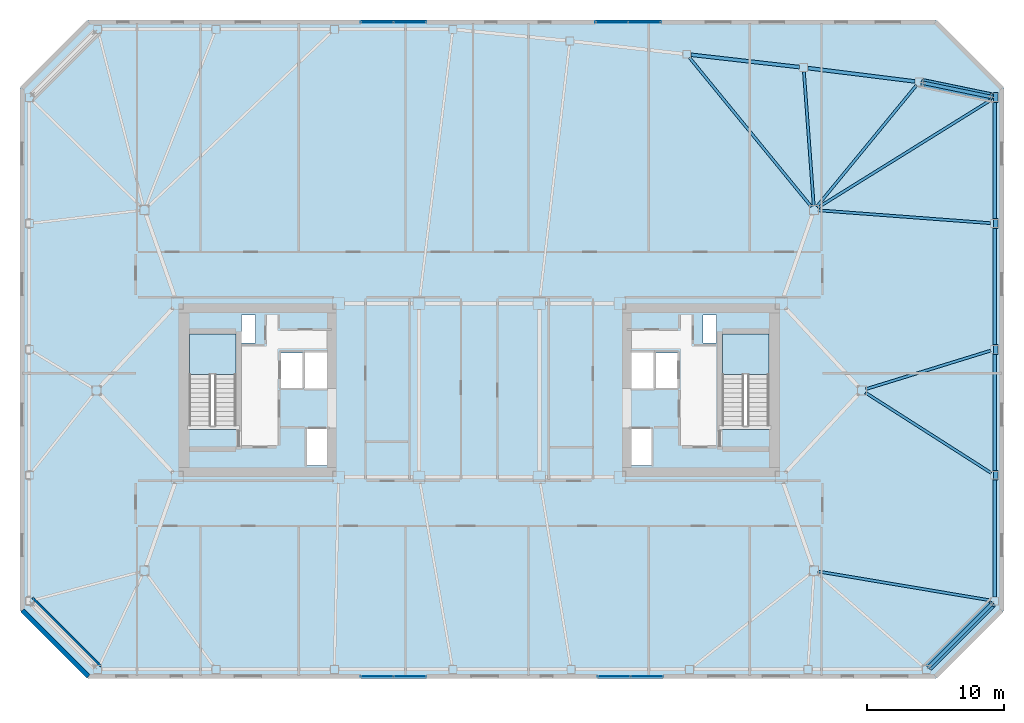
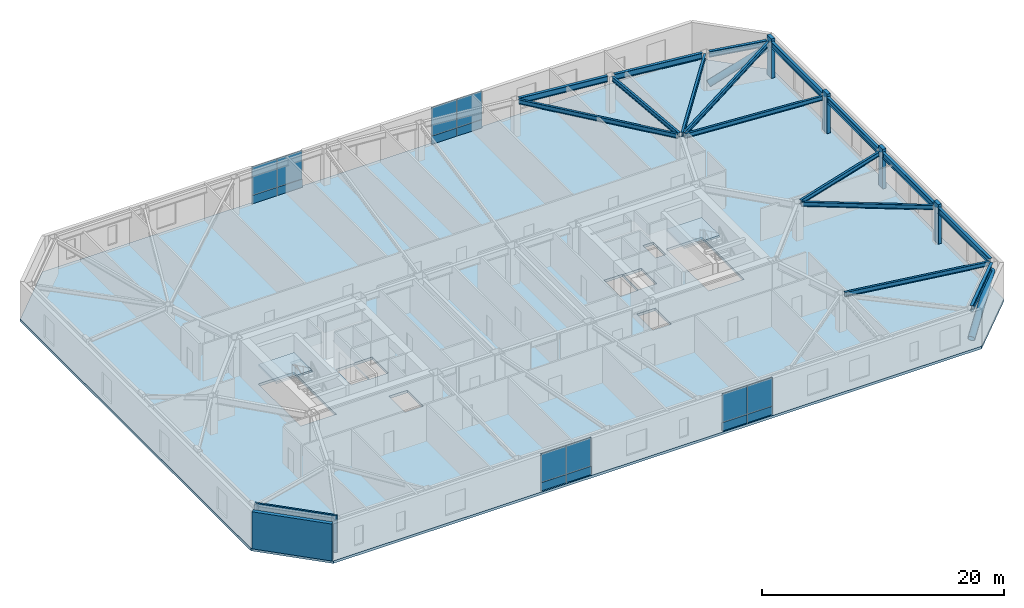
# One storey, part 9 of 18: 16 beams, 16 plates, 6 members, 3 slabs, 2 walls, 6 elements without a shape of their own.
"""IFC4 building model written with IfcOpenShell, lengths in metres."""

from ifc_helpers import new_model, si_unit, direction, frame, frame_2d, origin, origin_2d, place, context, subcontext, project, spatial, polyline, rectangle, hollow_circle, i_section, outline, extrude, material, layer, layer_set, material_profile, profile_set, type_object, element, aggregate, save


model = new_model("IFC4")

# Units and contexts
model_context = context("Model", 3, precision=1e-05, world=origin(), true_north=direction((0.0, 1.0)))
body_context = subcontext(model_context, "Body", "Model", "MODEL_VIEW")
ifc_project = project(units=[si_unit("LENGTHUNIT", "METRE"), si_unit("AREAUNIT", "SQUARE_METRE"), si_unit("VOLUMEUNIT", "CUBIC_METRE"), si_unit("PLANEANGLEUNIT", "RADIAN"), si_unit("MASSUNIT", "GRAM", prefix="KILO")], contexts=[model_context])

# Site, building, storey
site_placement = place(None, origin())
site = spatial("IfcSite", under=ifc_project, at=site_placement, CompositionType="ELEMENT")
building_placement = place(site_placement, origin())
building = spatial("IfcBuilding", under=site, at=building_placement, Name="Tavrogorsk Clinical Tower", CompositionType="ELEMENT")
storey_placement = place(building_placement, frame((0.0, 0.0, 192.199951171875)))
storey = spatial("IfcBuildingStorey", under=building, at=storey_placement, Name="L44", CompositionType="ELEMENT", Elevation=192.199951171875)

# Members
ifc_material_1 = material(Name="Structural steel S440", Category="steel")
ifc_material_profile_1 = material_profile(ifc_material_1, hollow_circle(Radius=0.304931640625, WallThickness=0.02490234375, at=origin_2d()), Name="CHS-610x25")
ifc_profile_set_1 = profile_set([ifc_material_profile_1], Name="Structural steel S440")
member_type_1 = type_object("IfcMemberType", Name="ExoBrace_CHS610", PredefinedType="BRACE", material=ifc_profile_set_1)
member_1_placement = place(storey_placement, frame((32.922607421875, -20.217529296875, 0.4130859375), z_axis=(0.657738695475, 0.657773644396, 0.3670335696), x_axis=(-0.707125566484, 0.70708799539, 0.0)))
element("IfcMember", 1, at=member_1_placement, inside=storey, type_object=member_type_1, Name="L44 Corner Exoskeleton Brace S8-E1", PredefinedType="BRACE", context=body_context, shape_type="SweptSolid", body=[
    extrude(hollow_circle(Radius=0.304931640625, WallThickness=0.02490234375, at=origin_2d()), origin(), (0.0, 0.0, 1.0), 6.985595703125),
])
member_2_placement = place(storey_placement, frame((32.461669921875, 22.509765625, 0.4365234375), z_axis=(0.877871206027, -0.181924853718, 0.442996042002), x_axis=(0.202922555913, 0.979194789764, 0.0)))
element("IfcMember", 2, at=member_2_placement, inside=storey, type_object=member_type_1, Name="L44 Corner Exoskeleton Brace E5-N1", PredefinedType="BRACE", context=body_context, shape_type="SweptSolid", body=[
    extrude(hollow_circle(Radius=0.304931640625, WallThickness=0.02490234375, at=origin_2d()), origin(), (0.0, 0.0, 1.0), 5.681884765625),
])

# Beams
ifc_material_2 = material(Name="Structural steel S355", Category="steel")
ifc_material_profile_2 = material_profile(ifc_material_2, i_section(OverallWidth=0.199951171875, OverallDepth=0.449951171875, WebThickness=0.011474609375, FlangeThickness=0.01806640625, at=origin_2d()), Name="B-450x200x11.5x18")
ifc_profile_set_2 = profile_set([ifc_material_profile_2], Name="Structural steel S355")
beam_type_1 = type_object("IfcBeamType", Name="FloorBeam_B450", PredefinedType="BEAM", material=ifc_profile_set_2)
beam_1_placement = place(storey_placement, frame((24.69677734375, 13.439453125, 3.51513671875), z_axis=(0.634628511763, 0.772817347151, 0.0), x_axis=(-0.772817347151, 0.634628511763, 0.0)))
element("IfcBeam", 3, at=beam_1_placement, inside=storey, type_object=beam_type_1, Name="L44 Radial Floor Beam N1", PredefinedType="BEAM", context=body_context, shape_type="SweptSolid", body=[
    extrude(i_section(OverallWidth=0.199951171875, OverallDepth=0.449951171875, WebThickness=0.011474609375, FlangeThickness=0.01806640625, at=origin_2d()), origin(), (0.0, 0.0, 1.0), 11.501220703125),
])
beam_2_placement = place(storey_placement, frame((24.477294921875, 13.50927734375, 3.51513671875), z_axis=(-0.072962981763, 0.9973346496, 0.0), x_axis=(-0.9973346496, -0.072962981763, 0.0)))
element("IfcBeam", 4, at=beam_2_placement, inside=storey, type_object=beam_type_1, Name="L44 Radial Floor Beam N2", PredefinedType="BEAM", context=body_context, shape_type="SweptSolid", body=[
    extrude(i_section(OverallWidth=0.199951171875, OverallDepth=0.449951171875, WebThickness=0.011474609375, FlangeThickness=0.01806640625, at=origin_2d()), origin(), (0.0, 0.0, 1.0), 9.827392578125),
])
beam_3_placement = place(storey_placement, frame((24.3037109375, 13.43994140625, 3.51513671875), z_axis=(-0.632955765669, 0.774187960838, 0.0), x_axis=(-0.774187960838, -0.632955765669, 0.0)))
element("IfcBeam", 5, at=beam_3_placement, inside=storey, type_object=beam_type_1, Name="L44 Radial Floor Beam N3", PredefinedType="BEAM", context=body_context, shape_type="SweptSolid", body=[
    extrude(i_section(OverallWidth=0.199951171875, OverallDepth=0.449951171875, WebThickness=0.011474609375, FlangeThickness=0.01806640625, at=origin_2d()), origin(), (0.0, 0.0, 1.0), 14.09716796875),
])
beam_4_placement = place(storey_placement, frame((24.8056640625, -13.251220703125, 3.51513671875), z_axis=(0.986191418361, -0.165609439197, 0.0), x_axis=(0.165609439197, 0.986191418361, 0.0)))
element("IfcBeam", 6, at=beam_4_placement, inside=storey, type_object=beam_type_1, Name="L44 Radial Floor Beam E1", PredefinedType="BEAM", context=body_context, shape_type="SweptSolid", body=[
    extrude(i_section(OverallWidth=0.199951171875, OverallDepth=0.449951171875, WebThickness=0.011474609375, FlangeThickness=0.01806640625, at=origin_2d()), origin(), (0.0, 0.0, 1.0), 12.787109375),
])
beam_5_placement = place(storey_placement, frame((28.26123046875, -0.1669921875, 3.51513671875), z_axis=(0.842699642064, -0.538383983106, 0.0), x_axis=(0.538383983106, 0.842699642064, 0.0)))
element("IfcBeam", 7, at=beam_5_placement, inside=storey, type_object=beam_type_1, Name="L44 Radial Floor Beam E2", PredefinedType="BEAM", context=body_context, shape_type="SweptSolid", body=[
    extrude(i_section(OverallWidth=0.199951171875, OverallDepth=0.449951171875, WebThickness=0.011474609375, FlangeThickness=0.01806640625, at=origin_2d()), origin(), (0.0, 0.0, 1.0), 10.916259765625),
])
beam_6_placement = place(storey_placement, frame((28.296142578125, 0.09130859375, 3.51513671875), z_axis=(0.955521187686, 0.294922464187, 0.0), x_axis=(-0.294922464187, 0.955521187686, 0.0)))
element("IfcBeam", 8, at=beam_6_placement, inside=storey, type_object=beam_type_1, Name="L44 Radial Floor Beam E3", PredefinedType="BEAM", context=body_context, shape_type="SweptSolid", body=[
    extrude(i_section(OverallWidth=0.199951171875, OverallDepth=0.449951171875, WebThickness=0.011474609375, FlangeThickness=0.01806640625, at=origin_2d()), origin(), (0.0, 0.0, 1.0), 9.5546875),
])
beam_7_placement = place(storey_placement, frame((24.80908203125, 13.1767578125, 3.51513671875), z_axis=(0.997207767172, -0.074677098845, 0.0), x_axis=(0.074677098845, 0.997207767172, 0.0)))
element("IfcBeam", 9, at=beam_7_placement, inside=storey, type_object=beam_type_1, Name="L44 Radial Floor Beam E4", PredefinedType="BEAM", context=body_context, shape_type="SweptSolid", body=[
    extrude(i_section(OverallWidth=0.199951171875, OverallDepth=0.449951171875, WebThickness=0.011474609375, FlangeThickness=0.01806640625, at=origin_2d()), origin(), (0.0, 0.0, 1.0), 12.63916015625),
])
beam_8_placement = place(storey_placement, frame((24.76318359375, 13.36376953125, 3.51513671875), z_axis=(0.849229115923, 0.528024534154, 0.0), x_axis=(-0.528024534154, 0.849229115923, 0.0)))
element("IfcBeam", 10, at=beam_8_placement, inside=storey, type_object=beam_type_1, Name="L44 Radial Floor Beam E5", PredefinedType="BEAM", context=body_context, shape_type="SweptSolid", body=[
    extrude(i_section(OverallWidth=0.199951171875, OverallDepth=0.449951171875, WebThickness=0.011474609375, FlangeThickness=0.01806640625, at=origin_2d()), origin(), (0.0, 0.0, 1.0), 14.94921875),
])

# Members
ifc_material_3 = material(Name="Precast concrete B45 with limestone cladding", Category="masonry")
ifc_material_profile_3 = material_profile(ifc_material_3, rectangle(XDim=0.320068359375, YDim=0.719970703125, at=origin_2d()), Name="LIMESTONE-FIN-320x720")
ifc_profile_set_3 = profile_set([ifc_material_profile_3], Name="Precast concrete B45 with limestone cladding")
member_type_2 = type_object("IfcMemberType", Name="LimestonePleatFin_320x720", PredefinedType="USERDEFINED", material=ifc_profile_set_3)
for number, where, z_axis, x_axis, name in (
    (11, (37.800048828125, -6.2099609375, 0.0), (0.0, 0.0, 1.0), (1.0, 0.0, 0.0), "L44 E Pleated Stone Fin 1"),
    (12, (37.800048828125, 3.0, 0.0), (0.0, 0.0, 1.0), (1.0, 0.0, 0.0), "L44 E Pleated Stone Fin 2"),
    (13, (37.800048828125, 12.2099609375, 0.0), (0.0, 0.0, 1.0), (1.0, 0.0, 0.0), "L44 E Pleated Stone Fin 3"),
    (14, (37.800048828125, 21.419921875, 0.0), (0.0, 0.0, 1.0), (1.0, 0.0, 0.0), "L44 E Pleated Stone Fin 4"),
):
    element("IfcMember", number, at=place(storey_placement, frame(where, z_axis=z_axis, x_axis=x_axis)), inside=storey, type_object=member_type_2, Name=name, ObjectType="FIN", PredefinedType="USERDEFINED", context=body_context, shape_type="SweptSolid", body=[
        extrude(rectangle(XDim=0.320068359375, YDim=0.719970703125, at=origin_2d()), origin(), (0.0, 0.0, 1.0), 4.0),
    ])

# Beams
ifc_material_4 = material(Name="Structural steel S390", Category="steel")
ifc_material_profile_4 = material_profile(ifc_material_4, i_section(OverallWidth=0.260009765625, OverallDepth=0.60009765625, WebThickness=0.014892578125, FlangeThickness=0.02392578125, at=origin_2d()), Name="B-600x260x15x24")
ifc_profile_set_4 = profile_set([ifc_material_profile_4], Name="Structural steel S390")
beam_type_2 = type_object("IfcBeamType", Name="SpandrelBeam_B600", PredefinedType="SPANDREL", material=ifc_profile_set_4)
beam_9_placement = place(storey_placement, frame((32.937744140625, -20.2021484375, 3.43994140625), z_axis=(0.707106781187, 0.707106781187, 0.0), x_axis=(-0.707106781187, 0.707106781187, 0.0)))
element("IfcBeam", 15, at=beam_9_placement, inside=storey, type_object=beam_type_2, Name="L44 Perimeter Spandrel S8-E1", PredefinedType="SPANDREL", context=body_context, shape_type="SweptSolid", body=[
    extrude(i_section(OverallWidth=0.260009765625, OverallDepth=0.60009765625, WebThickness=0.014892578125, FlangeThickness=0.02392578125, at=origin_2d()), origin(), (0.0, 0.0, 1.0), 6.455078125),
])
for number, where, z_axis, x_axis, name in (
    (16, (37.719970703125, -15.112060546875, 3.43994140625), (0.0, 1.0, 0.0), (-1.0, 0.0, 0.0), "L44 Perimeter Spandrel E1-E2"),
    (17, (37.719970703125, -5.902099609375, 3.43994140625), (0.0, 1.0, 0.0), (-1.0, 0.0, 0.0), "L44 Perimeter Spandrel E2-E3"),
    (18, (37.719970703125, 3.30810546875, 3.43994140625), (0.0, 1.0, 0.0), (-1.0, 0.0, 0.0), "L44 Perimeter Spandrel E3-E4"),
    (19, (37.719970703125, 12.51806640625, 3.43994140625), (0.0, 1.0, 0.0), (-1.0, 0.0, 0.0), "L44 Perimeter Spandrel E4-E5"),
):
    element("IfcBeam", number, at=place(storey_placement, frame(where, z_axis=z_axis, x_axis=x_axis)), inside=storey, type_object=beam_type_2, Name=name, PredefinedType="SPANDREL", context=body_context, shape_type="SweptSolid", body=[
        extrude(i_section(OverallWidth=0.260009765625, OverallDepth=0.60009765625, WebThickness=0.014892578125, FlangeThickness=0.02392578125, at=origin_2d()), origin(), (0.0, 0.0, 1.0), 8.593994140625),
    ])
beam_10_placement = place(storey_placement, frame((37.41845703125, 21.482421875, 3.43994140625), z_axis=(-0.979184643877, 0.202971508337, 0.0), x_axis=(-0.202971508337, -0.979184643877, 0.0)))
element("IfcBeam", 20, at=beam_10_placement, inside=storey, type_object=beam_type_2, Name="L44 Perimeter Spandrel E5-N1", PredefinedType="SPANDREL", context=body_context, shape_type="SweptSolid", body=[
    extrude(i_section(OverallWidth=0.260009765625, OverallDepth=0.60009765625, WebThickness=0.014892578125, FlangeThickness=0.02392578125, at=origin_2d()), origin(), (0.0, 0.0, 1.0), 5.0302734375),
])
beam_11_placement = place(storey_placement, frame((31.8857421875, 22.60400390625, 3.43994140625), z_axis=(-0.992347112015, 0.123479590521, 0.0), x_axis=(-0.123479590521, -0.992347112015, 0.0)))
element("IfcBeam", 21, at=beam_11_placement, inside=storey, type_object=beam_type_2, Name="L44 Perimeter Spandrel N1-N2", PredefinedType="SPANDREL", context=body_context, shape_type="SweptSolid", body=[
    extrude(i_section(OverallWidth=0.260009765625, OverallDepth=0.60009765625, WebThickness=0.014892578125, FlangeThickness=0.02392578125, at=origin_2d()), origin(), (0.0, 0.0, 1.0), 7.90283203125),
])
beam_12_placement = place(storey_placement, frame((23.431884765625, 23.652587890625, 3.43994140625), z_axis=(-0.993569841398, 0.113220891465, 0.0), x_axis=(-0.113220891465, -0.993569841398, 0.0)))
element("IfcBeam", 22, at=beam_12_placement, inside=storey, type_object=beam_type_2, Name="L44 Perimeter Spandrel N2-N3", PredefinedType="SPANDREL", context=body_context, shape_type="SweptSolid", body=[
    extrude(i_section(OverallWidth=0.260009765625, OverallDepth=0.60009765625, WebThickness=0.014892578125, FlangeThickness=0.02392578125, at=origin_2d()), origin(), (0.0, 0.0, 1.0), 7.9912109375),
])

# Curtain wall, plates
ifc_material_5 = material(Name="Anodised aluminium and triple IGU glazing", Category="aluminium")
ifc_layer_1 = layer(ifc_material_5, 0.179931640625)
ifc_layer_set_1 = layer_set([ifc_layer_1], Name="Anodised aluminium and triple IGU glazing")
curtain_wall_type_1 = type_object("IfcCurtainWallType", Name="CW3_SouthSlot", PredefinedType="NOTDEFINED", material=ifc_layer_set_1)
curtain_wall_1_placement = place(storey_placement, origin())
curtain_wall_1 = element("IfcCurtainWall", 23, at=curtain_wall_1_placement, inside=storey, type_object=curtain_wall_type_1, Name="L44 Curtain Wall CW-L44-S-SLOT-1", PredefinedType="NOTDEFINED")
ifc_material_6 = material(Name="Honed Podolsk limestone spandrel panel", Category="masonry")
ifc_layer_2 = layer(ifc_material_6, 0.080078125)
ifc_layer_set_2 = layer_set([ifc_layer_2], Name="Honed Podolsk limestone spandrel panel")
plate_type_1 = type_object("IfcPlateType", Name="CwSpandrelStonePanel_80", PredefinedType="CURTAIN_PANEL", material=ifc_layer_set_2)
plate_1_placement = place(storey_placement, frame((-7.470947265625, -20.929931640625, 0.002197265625), z_axis=(0.0, 0.0, 1.0), x_axis=(1.0, 0.0, 0.0)))
plate_1 = element("IfcPlate", 24, at=plate_1_placement, type_object=plate_type_1, Name="CW-L44-S-SLOT-1 Stone Spandrel Panel 1", PredefinedType="CURTAIN_PANEL", context=body_context, shape_type="SweptSolid", body=[
    extrude(rectangle(XDim=2.39208984375, YDim=0.080078125, at=origin_2d()), origin(), (0.0, 0.0, 1.0), 0.8359375),
])
plate_2_placement = place(storey_placement, frame((-5.054931640625, -20.929931640625, 0.002197265625), z_axis=(0.0, 0.0, 1.0), x_axis=(1.0, 0.0, 0.0)))
plate_2 = element("IfcPlate", 25, at=plate_2_placement, type_object=plate_type_1, Name="CW-L44-S-SLOT-1 Stone Spandrel Panel 2", PredefinedType="CURTAIN_PANEL", context=body_context, shape_type="SweptSolid", body=[
    extrude(rectangle(XDim=2.39208984375, YDim=0.080078125, at=origin_2d()), origin(), (0.0, 0.0, 1.0), 0.8359375),
])

curtain_wall_2_placement = place(storey_placement, origin())
curtain_wall_2 = element("IfcCurtainWall", 26, at=curtain_wall_2_placement, inside=storey, type_object=curtain_wall_type_1, Name="L44 Curtain Wall CW-L44-S-SLOT-2", PredefinedType="NOTDEFINED")
plate_3_placement = place(storey_placement, frame((9.854736328125, -20.929931640625, 0.002197265625), z_axis=(0.0, 0.0, 1.0), x_axis=(1.0, 0.0, 0.0)))
plate_3 = element("IfcPlate", 27, at=plate_3_placement, type_object=plate_type_1, Name="CW-L44-S-SLOT-2 Stone Spandrel Panel 1", PredefinedType="CURTAIN_PANEL", context=body_context, shape_type="SweptSolid", body=[
    extrude(rectangle(XDim=2.39208984375, YDim=0.080078125, at=origin_2d()), origin(), (0.0, 0.0, 1.0), 0.8359375),
])
plate_4_placement = place(storey_placement, frame((12.270751953125, -20.929931640625, 0.002197265625), z_axis=(0.0, 0.0, 1.0), x_axis=(1.0, 0.0, 0.0)))
plate_4 = element("IfcPlate", 28, at=plate_4_placement, type_object=plate_type_1, Name="CW-L44-S-SLOT-2 Stone Spandrel Panel 2", PredefinedType="CURTAIN_PANEL", context=body_context, shape_type="SweptSolid", body=[
    extrude(rectangle(XDim=2.39208984375, YDim=0.080078125, at=origin_2d()), origin(), (0.0, 0.0, 1.0), 0.8359375),
])

ifc_material_7 = material(Name="Anodised aluminium and triple IGU glazing", Category="aluminium")
ifc_layer_3 = layer(ifc_material_7, 0.179931640625)
ifc_layer_set_3 = layer_set([ifc_layer_3], Name="Anodised aluminium and triple IGU glazing")
curtain_wall_type_2 = type_object("IfcCurtainWallType", Name="CW2_NorthSlot", PredefinedType="NOTDEFINED", material=ifc_layer_set_3)
curtain_wall_3_placement = place(storey_placement, origin())
curtain_wall_3 = element("IfcCurtainWall", 29, at=curtain_wall_3_placement, inside=storey, type_object=curtain_wall_type_2, Name="L44 Curtain Wall CW-L44-N-SLOT-1", PredefinedType="NOTDEFINED")
plate_5_placement = place(storey_placement, frame((-5.054931640625, 26.929931640625, 0.002197265625), z_axis=(0.0, 0.0, 1.0), x_axis=(-1.0, 0.0, 0.0)))
plate_5 = element("IfcPlate", 30, at=plate_5_placement, type_object=plate_type_1, Name="CW-L44-N-SLOT-1 Stone Spandrel Panel 1", PredefinedType="CURTAIN_PANEL", context=body_context, shape_type="SweptSolid", body=[
    extrude(rectangle(XDim=2.39208984375, YDim=0.080078125, at=origin_2d()), origin(), (0.0, 0.0, 1.0), 0.8359375),
])
plate_6_placement = place(storey_placement, frame((-7.470947265625, 26.929931640625, 0.002197265625), z_axis=(0.0, 0.0, 1.0), x_axis=(-1.0, 0.0, 0.0)))
plate_6 = element("IfcPlate", 31, at=plate_6_placement, type_object=plate_type_1, Name="CW-L44-N-SLOT-1 Stone Spandrel Panel 2", PredefinedType="CURTAIN_PANEL", context=body_context, shape_type="SweptSolid", body=[
    extrude(rectangle(XDim=2.39208984375, YDim=0.080078125, at=origin_2d()), origin(), (0.0, 0.0, 1.0), 0.8359375),
])

curtain_wall_4_placement = place(storey_placement, origin())
curtain_wall_4 = element("IfcCurtainWall", 32, at=curtain_wall_4_placement, inside=storey, type_object=curtain_wall_type_2, Name="L44 Curtain Wall CW-L44-N-SLOT-2", PredefinedType="NOTDEFINED")
plate_7_placement = place(storey_placement, frame((12.1181640625, 26.929931640625, 0.002197265625), z_axis=(0.0, 0.0, 1.0), x_axis=(-1.0, 0.0, 0.0)))
plate_7 = element("IfcPlate", 33, at=plate_7_placement, type_object=plate_type_1, Name="CW-L44-N-SLOT-2 Stone Spandrel Panel 1", PredefinedType="CURTAIN_PANEL", context=body_context, shape_type="SweptSolid", body=[
    extrude(rectangle(XDim=2.39208984375, YDim=0.080078125, at=origin_2d()), origin(), (0.0, 0.0, 1.0), 0.8359375),
])
plate_8_placement = place(storey_placement, frame((9.7021484375, 26.929931640625, 0.002197265625), z_axis=(0.0, 0.0, 1.0), x_axis=(-1.0, 0.0, 0.0)))
plate_8 = element("IfcPlate", 34, at=plate_8_placement, type_object=plate_type_1, Name="CW-L44-N-SLOT-2 Stone Spandrel Panel 2", PredefinedType="CURTAIN_PANEL", context=body_context, shape_type="SweptSolid", body=[
    extrude(rectangle(XDim=2.39208984375, YDim=0.080078125, at=origin_2d()), origin(), (0.0, 0.0, 1.0), 0.8359375),
])

# Plate
ifc_material_8 = material(Name="Triple low-E argon insulated glass", Category="glass")
ifc_layer_4 = layer(ifc_material_8, 0.048095703125)
ifc_layer_set_4 = layer_set([ifc_layer_4], Name="Triple low-E argon insulated glass")
plate_type_2 = type_object("IfcPlateType", Name="CwVisionGlassPanel_48", PredefinedType="CURTAIN_PANEL", material=ifc_layer_set_4)
plate_9_placement = place(storey_placement, frame((-7.470947265625, -20.929931640625, 0.862060546875), z_axis=(0.0, 0.0, 1.0), x_axis=(1.0, 0.0, 0.0)))
plate_9 = element("IfcPlate", 35, at=plate_9_placement, type_object=plate_type_2, Name="CW-L44-S-SLOT-1 Glazing Panel 1", PredefinedType="CURTAIN_PANEL", context=body_context, shape_type="SweptSolid", body=[
    extrude(rectangle(XDim=2.39208984375, YDim=0.048095703125, at=origin_2d()), origin(), (0.0, 0.0, 1.0), 2.8759765625),
])

plate_10_placement = place(storey_placement, frame((-5.054931640625, -20.929931640625, 0.862060546875), z_axis=(0.0, 0.0, 1.0), x_axis=(1.0, 0.0, 0.0)))
plate_10 = element("IfcPlate", 36, at=plate_10_placement, type_object=plate_type_2, Name="CW-L44-S-SLOT-1 Glazing Panel 2", PredefinedType="CURTAIN_PANEL", context=body_context, shape_type="SweptSolid", body=[
    extrude(rectangle(XDim=2.39208984375, YDim=0.048095703125, at=origin_2d()), origin(), (0.0, 0.0, 1.0), 2.8759765625),
])

aggregate(curtain_wall_1, [plate_1, plate_9, plate_2, plate_10])

plate_11_placement = place(storey_placement, frame((9.854736328125, -20.929931640625, 0.862060546875), z_axis=(0.0, 0.0, 1.0), x_axis=(1.0, 0.0, 0.0)))
plate_11 = element("IfcPlate", 37, at=plate_11_placement, type_object=plate_type_2, Name="CW-L44-S-SLOT-2 Glazing Panel 1", PredefinedType="CURTAIN_PANEL", context=body_context, shape_type="SweptSolid", body=[
    extrude(rectangle(XDim=2.39208984375, YDim=0.048095703125, at=origin_2d()), origin(), (0.0, 0.0, 1.0), 2.8759765625),
])

plate_12_placement = place(storey_placement, frame((12.270751953125, -20.929931640625, 0.862060546875), z_axis=(0.0, 0.0, 1.0), x_axis=(1.0, 0.0, 0.0)))
plate_12 = element("IfcPlate", 38, at=plate_12_placement, type_object=plate_type_2, Name="CW-L44-S-SLOT-2 Glazing Panel 2", PredefinedType="CURTAIN_PANEL", context=body_context, shape_type="SweptSolid", body=[
    extrude(rectangle(XDim=2.39208984375, YDim=0.048095703125, at=origin_2d()), origin(), (0.0, 0.0, 1.0), 2.8759765625),
])

aggregate(curtain_wall_2, [plate_3, plate_11, plate_4, plate_12])

plate_13_placement = place(storey_placement, frame((-5.054931640625, 26.929931640625, 0.862060546875), z_axis=(0.0, 0.0, 1.0), x_axis=(-1.0, 0.0, 0.0)))
plate_13 = element("IfcPlate", 39, at=plate_13_placement, type_object=plate_type_2, Name="CW-L44-N-SLOT-1 Glazing Panel 1", PredefinedType="CURTAIN_PANEL", context=body_context, shape_type="SweptSolid", body=[
    extrude(rectangle(XDim=2.39208984375, YDim=0.048095703125, at=origin_2d()), origin(), (0.0, 0.0, 1.0), 2.8759765625),
])

plate_14_placement = place(storey_placement, frame((-7.470947265625, 26.929931640625, 0.862060546875), z_axis=(0.0, 0.0, 1.0), x_axis=(-1.0, 0.0, 0.0)))
plate_14 = element("IfcPlate", 40, at=plate_14_placement, type_object=plate_type_2, Name="CW-L44-N-SLOT-1 Glazing Panel 2", PredefinedType="CURTAIN_PANEL", context=body_context, shape_type="SweptSolid", body=[
    extrude(rectangle(XDim=2.39208984375, YDim=0.048095703125, at=origin_2d()), origin(), (0.0, 0.0, 1.0), 2.8759765625),
])

aggregate(curtain_wall_3, [plate_5, plate_13, plate_6, plate_14])

plate_15_placement = place(storey_placement, frame((12.1181640625, 26.929931640625, 0.862060546875), z_axis=(0.0, 0.0, 1.0), x_axis=(-1.0, 0.0, 0.0)))
plate_15 = element("IfcPlate", 41, at=plate_15_placement, type_object=plate_type_2, Name="CW-L44-N-SLOT-2 Glazing Panel 1", PredefinedType="CURTAIN_PANEL", context=body_context, shape_type="SweptSolid", body=[
    extrude(rectangle(XDim=2.39208984375, YDim=0.048095703125, at=origin_2d()), origin(), (0.0, 0.0, 1.0), 2.8759765625),
])

plate_16_placement = place(storey_placement, frame((9.7021484375, 26.929931640625, 0.862060546875), z_axis=(0.0, 0.0, 1.0), x_axis=(-1.0, 0.0, 0.0)))
plate_16 = element("IfcPlate", 42, at=plate_16_placement, type_object=plate_type_2, Name="CW-L44-N-SLOT-2 Glazing Panel 2", PredefinedType="CURTAIN_PANEL", context=body_context, shape_type="SweptSolid", body=[
    extrude(rectangle(XDim=2.39208984375, YDim=0.048095703125, at=origin_2d()), origin(), (0.0, 0.0, 1.0), 2.8759765625),
])

aggregate(curtain_wall_4, [plate_7, plate_15, plate_8, plate_16])

# Stair, slab
ifc_material_9 = material(Name="Concrete B60", Category="concrete")
stair_type = type_object("IfcStairType", Name="CoreStairAssembly", PredefinedType="HALF_TURN_STAIR", material=ifc_material_9)
stair_1_placement = place(storey_placement, origin())
stair_1 = element("IfcStair", 43, at=stair_1_placement, inside=storey, type_object=stair_type, Name="L44 ST-W", PredefinedType="HALF_TURN_STAIR")
ifc_material_10 = material(Name="Concrete B60", Category="concrete")
ifc_layer_5 = layer(ifc_material_10, 0.199951171875)
ifc_layer_set_5 = layer_set([ifc_layer_5], Name="Concrete B60")
slab_type_1 = type_object("IfcSlabType", Name="StairLanding_200", PredefinedType="LANDING", material=ifc_layer_set_5)
slab_1_placement = place(storey_placement, frame((0.0, 0.0, 1.800048828125)))
slab_1 = element("IfcSlab", 44, at=slab_1_placement, type_object=slab_type_1, Name="ST-W landing 1", PredefinedType="LANDING", context=body_context, shape_type="SweptSolid", body=[
    extrude(outline(polyline([(-17.800048828125, 1.1650390625), (-17.800048828125, 4.125), (-21.199951171875, 4.125), (-21.199951171875, 1.1650390625), (-17.800048828125, 1.1650390625)])), origin(), (0.0, 0.0, 1.0), 0.199951171875),
])
aggregate(stair_1, [slab_1])

stair_2_placement = place(storey_placement, origin())
stair_2 = element("IfcStair", 45, at=stair_2_placement, inside=storey, type_object=stair_type, Name="L44 ST-E", PredefinedType="HALF_TURN_STAIR")
slab_2_placement = place(storey_placement, frame((0.0, 0.0, 1.800048828125)))
slab_2 = element("IfcSlab", 46, at=slab_2_placement, type_object=slab_type_1, Name="ST-E landing 1", PredefinedType="LANDING", context=body_context, shape_type="SweptSolid", body=[
    extrude(outline(polyline([(21.199951171875, 1.1650390625), (21.199951171875, 4.125), (17.800048828125, 4.125), (17.800048828125, 1.1650390625), (21.199951171875, 1.1650390625)])), origin(), (0.0, 0.0, 1.0), 0.199951171875),
])
aggregate(stair_2, [slab_2])

# Slab
ifc_material_11 = material(Name="Concrete B60", Category="concrete")
ifc_layer_6 = layer(ifc_material_11, 0.260009765625)
ifc_layer_set_6 = layer_set([ifc_layer_6], Name="Concrete B60")
slab_type_2 = type_object("IfcSlabType", Name="WardSlab_260", PredefinedType="FLOOR", material=ifc_layer_set_6)
slab_3_placement = place(storey_placement, frame((0.0, 0.0, -0.260009765625)))
element("IfcSlab", 47, at=slab_3_placement, inside=storey, type_object=slab_type_2, Name="L44 Structural Slab", PredefinedType="FLOOR", context=body_context, shape_type="SweptSolid", body=[
    extrude(outline(polyline([(-28.60009765625, -21.10009765625), (33.39990234375, -21.10009765625), (38.39990234375, -16.10009765625), (38.39990234375, 22.10009765625), (33.39990234375, 27.10009765625), (-28.60009765625, 27.10009765625), (-33.60009765625, 22.10009765625), (-33.60009765625, -16.10009765625), (-28.60009765625, -21.10009765625)]), holes=[polyline([(-17.800048828125, -2.8798828125), (-17.800048828125, 4.125), (-21.199951171875, 4.125), (-21.199951171875, -2.8798828125), (-17.800048828125, -2.8798828125)]), polyline([(21.199951171875, -2.8798828125), (21.199951171875, 4.125), (17.800048828125, 4.125), (17.800048828125, -2.8798828125), (21.199951171875, -2.8798828125)]), polyline([(-14.6201171875, 0.169921875), (-12.860107421875, 0.169921875), (-12.860107421875, 2.72998046875), (-14.6201171875, 2.72998046875), (-14.6201171875, 0.169921875)]), polyline([(-12.72998046875, -5.47998046875), (-10.969970703125, -5.47998046875), (-10.969970703125, -2.820068359375), (-12.72998046875, -2.820068359375), (-12.72998046875, -5.47998046875)]), polyline([(-12.840087890625, 0.1201171875), (-11.080078125, 0.1201171875), (-11.080078125, 2.780029296875), (-12.840087890625, 2.780029296875), (-12.840087890625, 0.1201171875)]), polyline([(12.860107421875, 0.169921875), (14.6201171875, 0.169921875), (14.6201171875, 2.72998046875), (12.860107421875, 2.72998046875), (12.860107421875, 0.169921875)]), polyline([(10.969970703125, -5.47998046875), (12.72998046875, -5.47998046875), (12.72998046875, -2.820068359375), (10.969970703125, -2.820068359375), (10.969970703125, -5.47998046875)]), polyline([(11.080078125, 0.1201171875), (12.840087890625, 0.1201171875), (12.840087890625, 2.780029296875), (11.080078125, 2.780029296875), (11.080078125, 0.1201171875)]), polyline([(-17.3798828125, 3.449951171875), (-16.3798828125, 3.449951171875), (-16.3798828125, 5.5), (-17.3798828125, 5.5), (-17.3798828125, 3.449951171875)]), polyline([(16.3798828125, 3.449951171875), (17.3798828125, 3.449951171875), (17.3798828125, 5.5), (16.3798828125, 5.5), (16.3798828125, 3.449951171875)])]), origin(), (0.0, 0.0, 1.0), 0.260009765625),
])

# Walls
ifc_material_12 = material(Name="Lightweight concrete blockwork B15", Category="masonry")
ifc_layer_7 = layer(ifc_material_12, 0.159912109375)
ifc_layer_set_7 = layer_set([ifc_layer_7], Name="Lightweight concrete blockwork B15")
wall_type_1 = type_object("IfcWallType", Name="PartitionWall_160", PredefinedType="PARTITIONING", material=ifc_layer_set_7)
wall_1_placement = place(storey_placement, frame((-32.6796875, -15.1796875, 0.0), z_axis=(0.0, 0.0, 1.0), x_axis=(0.707106781187, -0.707106781187, 0.0)))
element("IfcWall", 48, at=wall_1_placement, inside=storey, type_object=wall_type_1, Name="L44 Corner Exoskeleton Brace Furring Wall 4", PredefinedType="PARTITIONING", context=body_context, shape_type="SweptSolid", body=[
    extrude(rectangle(XDim=7.071044921875, YDim=0.159912109375, at=frame_2d((3.53564453125, 0.0))), origin(), (0.0, 0.0, 1.0), 3.739990234375),
])
ifc_material_13 = material(Name="Precast concrete B45 with limestone cladding", Category="masonry")
ifc_layer_8 = layer(ifc_material_13, 0.340087890625)
ifc_layer_set_8 = layer_set([ifc_layer_8], Name="Precast concrete B45 with limestone cladding")
wall_type_2 = type_object("IfcWallType", Name="PrecastLimestoneWall_340", PredefinedType="STANDARD", material=ifc_layer_set_8)
wall_2_placement = place(storey_placement, frame((-33.429931640625, -16.10009765625, 0.0), z_axis=(0.0, 0.0, 1.0), x_axis=(0.707106781187, -0.707106781187, 0.0)))
element("IfcWall", 49, at=wall_2_placement, inside=storey, type_object=wall_type_2, Name="L44 Chamfered Corner Wall 4", PredefinedType="STANDARD", context=body_context, shape_type="SweptSolid", body=[
    extrude(rectangle(XDim=6.830322265625, YDim=0.340087890625, at=frame_2d((3.4150390625, 0.0))), origin(), (0.0, 0.0, 1.0), 3.739990234375),
])

save(model, "model.ifc")
